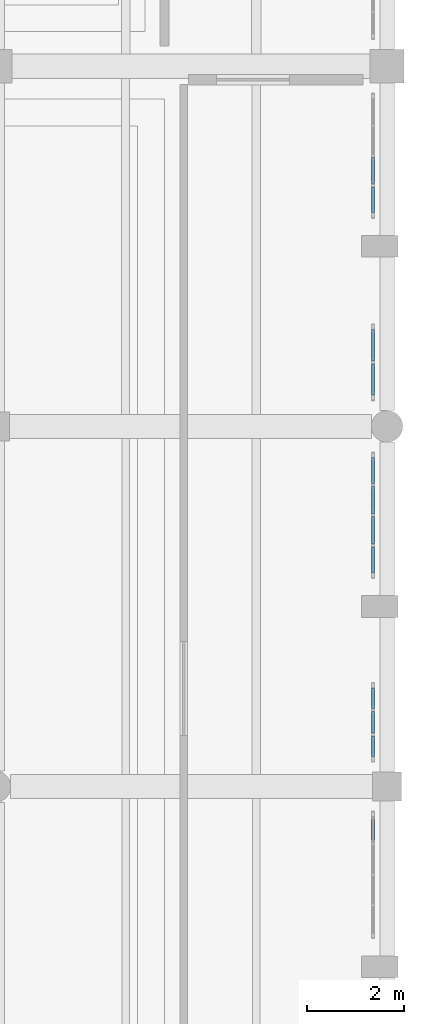
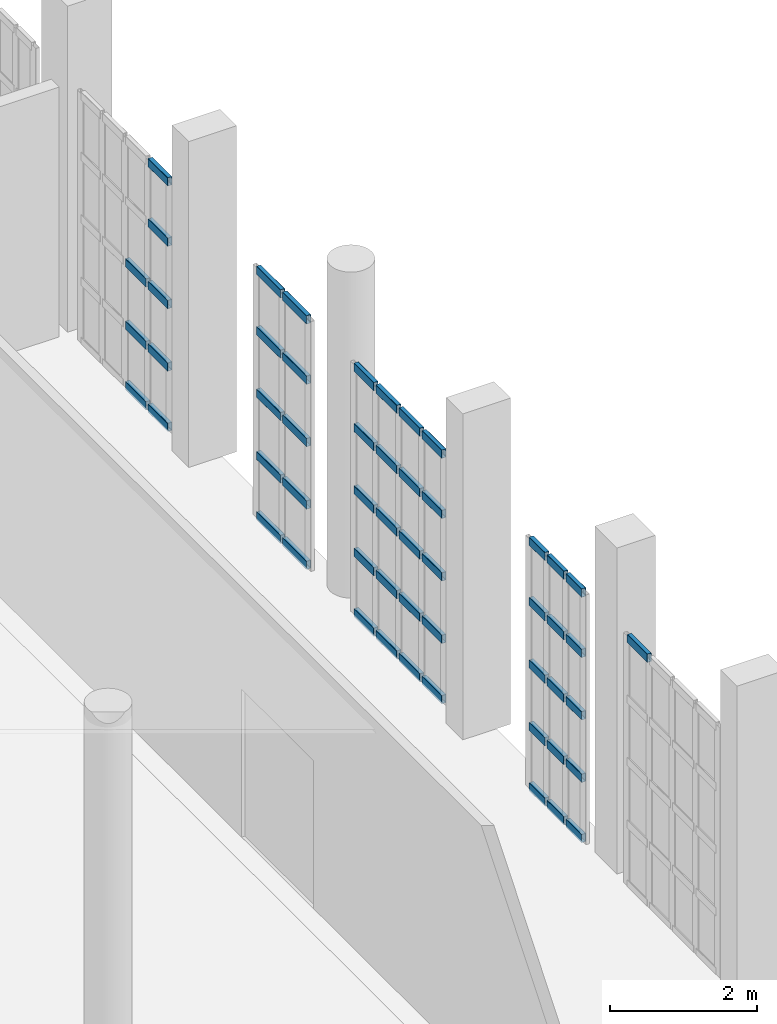
# One storey, part 317 of 372: 54 members, 5 elements without a shape of their own.
"""IFC4 building model written with IfcOpenShell, lengths in metres."""

from ifc_helpers import new_model, si_unit, direction, frame, origin, origin_2d, place, context, subcontext, project, spatial, hollow_rectangle, extrude, material, material_profile, profile_set, type_object, element, aggregate, save


model = new_model("IFC4")

# Units and contexts
model_context = context("Model", 3, precision=1e-05, world=origin(), true_north=direction((0.0, 1.0)))
body_context = subcontext(model_context, "Body", "Model", "MODEL_VIEW")
ifc_project = project(units=[si_unit("LENGTHUNIT", "METRE"), si_unit("AREAUNIT", "SQUARE_METRE"), si_unit("VOLUMEUNIT", "CUBIC_METRE"), si_unit("PLANEANGLEUNIT", "RADIAN"), si_unit("MASSUNIT", "GRAM", prefix="KILO")], contexts=[model_context])

# Site, building, storey
site_placement = place(None, origin())
site = spatial("IfcSite", under=ifc_project, at=site_placement, CompositionType="ELEMENT")
building_placement = place(site_placement, origin())
building = spatial("IfcBuilding", under=site, at=building_placement, Name="Kaelora Sail Theatre", CompositionType="ELEMENT")
storey_placement = place(building_placement, origin())
storey = spatial("IfcBuildingStorey", under=building, at=storey_placement, Name="L00", CompositionType="ELEMENT", Elevation=0.0)

# Curtain wall, member
ifc_material_1 = material(Name="Anodised aluminium and solar-control low-E IGU", Category="aluminium")
curtain_wall_type = type_object("IfcCurtainWallType", Name="ARC-CW-CW-FOY1", PredefinedType="NOTDEFINED", material=ifc_material_1)
curtain_wall_1_placement = place(storey_placement, origin())
curtain_wall_1 = element("IfcCurtainWall", 1, at=curtain_wall_1_placement, inside=storey, type_object=curtain_wall_type, Name="Glazed Colonnade/Courtyard Curtain Wall COLE-E-L00-03", PredefinedType="NOTDEFINED")
ifc_material_2 = material(Name="Anodised aluminium 6063-T6", Category="aluminium")
ifc_material_profile = material_profile(ifc_material_2, hollow_rectangle(XDim=0.070068359375, YDim=0.139892578125, WallThickness=0.00390625, InnerFilletRadius=0.00390625, OuterFilletRadius=0.008056640625, at=origin_2d()), Name="ALU-TRAN 70x140x4")
ifc_profile_set = profile_set([ifc_material_profile], Name="Anodised aluminium 6063-T6")
member_type = type_object("IfcMemberType", Name="ARC-MEM-TR-140", PredefinedType="USERDEFINED", material=ifc_profile_set)
member_1_placement = place(storey_placement, frame((163.2099609375, 37.538818359375, 4.10205078125), z_axis=(0.0, 1.0, 0.0), x_axis=(-1.0, 0.0, 0.0)))
member_1 = element("IfcMember", 2, at=member_1_placement, type_object=member_type, Name="CW-FOY1 transom 4.5", ObjectType="TRANSOM", PredefinedType="USERDEFINED", context=body_context, shape_type="SweptSolid", body=[
    extrude(hollow_rectangle(XDim=0.070068359375, YDim=0.139892578125, WallThickness=0.00390625, InnerFilletRadius=0.00390625, OuterFilletRadius=0.008056640625, at=origin_2d()), origin(), (0.0, 0.0, 1.0), 0.541259765625),
])
aggregate(curtain_wall_1, [member_1])

# Curtain wall, members
curtain_wall_2_placement = place(storey_placement, origin())
curtain_wall_2 = element("IfcCurtainWall", 3, at=curtain_wall_2_placement, inside=storey, type_object=curtain_wall_type, Name="Glazed Colonnade/Courtyard Curtain Wall COLE-E-L00-04", PredefinedType="NOTDEFINED")
member_2_placement = place(storey_placement, frame((163.2099609375, 39.320068359375, 0.034912109375), z_axis=(0.0, 1.0, 0.0), x_axis=(-1.0, 0.0, 0.0)))
member_2 = element("IfcMember", 4, at=member_2_placement, type_object=member_type, Name="CW-FOY1 transom 1.1", ObjectType="TRANSOM", PredefinedType="USERDEFINED", context=body_context, shape_type="SweptSolid", body=[
    extrude(hollow_rectangle(XDim=0.070068359375, YDim=0.139892578125, WallThickness=0.00390625, InnerFilletRadius=0.00390625, OuterFilletRadius=0.008056640625, at=origin_2d()), origin(), (0.0, 0.0, 1.0), 0.42333984375),
])
member_3_placement = place(storey_placement, frame((163.2099609375, 39.320068359375, 1.0341796875), z_axis=(0.0, 1.0, 0.0), x_axis=(-1.0, 0.0, 0.0)))
member_3 = element("IfcMember", 5, at=member_3_placement, type_object=member_type, Name="CW-FOY1 transom 1.2", ObjectType="TRANSOM", PredefinedType="USERDEFINED", context=body_context, shape_type="SweptSolid", body=[
    extrude(hollow_rectangle(XDim=0.070068359375, YDim=0.139892578125, WallThickness=0.00390625, InnerFilletRadius=0.00390625, OuterFilletRadius=0.008056640625, at=origin_2d()), origin(), (0.0, 0.0, 1.0), 0.42333984375),
])
member_4_placement = place(storey_placement, frame((163.2099609375, 39.320068359375, 2.068603515625), z_axis=(0.0, 1.0, 0.0), x_axis=(-1.0, 0.0, 0.0)))
member_4 = element("IfcMember", 6, at=member_4_placement, type_object=member_type, Name="CW-FOY1 transom 1.3", ObjectType="TRANSOM", PredefinedType="USERDEFINED", context=body_context, shape_type="SweptSolid", body=[
    extrude(hollow_rectangle(XDim=0.070068359375, YDim=0.139892578125, WallThickness=0.00390625, InnerFilletRadius=0.00390625, OuterFilletRadius=0.008056640625, at=origin_2d()), origin(), (0.0, 0.0, 1.0), 0.42333984375),
])
member_5_placement = place(storey_placement, frame((163.2099609375, 39.320068359375, 3.102783203125), z_axis=(0.0, 1.0, 0.0), x_axis=(-1.0, 0.0, 0.0)))
member_5 = element("IfcMember", 7, at=member_5_placement, type_object=member_type, Name="CW-FOY1 transom 1.4", ObjectType="TRANSOM", PredefinedType="USERDEFINED", context=body_context, shape_type="SweptSolid", body=[
    extrude(hollow_rectangle(XDim=0.070068359375, YDim=0.139892578125, WallThickness=0.00390625, InnerFilletRadius=0.00390625, OuterFilletRadius=0.008056640625, at=origin_2d()), origin(), (0.0, 0.0, 1.0), 0.42333984375),
])
member_6_placement = place(storey_placement, frame((163.2099609375, 39.320068359375, 4.10205078125), z_axis=(0.0, 1.0, 0.0), x_axis=(-1.0, 0.0, 0.0)))
member_6 = element("IfcMember", 8, at=member_6_placement, type_object=member_type, Name="CW-FOY1 transom 1.5", ObjectType="TRANSOM", PredefinedType="USERDEFINED", context=body_context, shape_type="SweptSolid", body=[
    extrude(hollow_rectangle(XDim=0.070068359375, YDim=0.139892578125, WallThickness=0.00390625, InnerFilletRadius=0.00390625, OuterFilletRadius=0.008056640625, at=origin_2d()), origin(), (0.0, 0.0, 1.0), 0.42333984375),
])
member_7_placement = place(storey_placement, frame((163.2099609375, 39.80322265625, 0.034912109375), z_axis=(0.0, 1.0, 0.0), x_axis=(-1.0, 0.0, 0.0)))
member_7 = element("IfcMember", 9, at=member_7_placement, type_object=member_type, Name="CW-FOY1 transom 2.1", ObjectType="TRANSOM", PredefinedType="USERDEFINED", context=body_context, shape_type="SweptSolid", body=[
    extrude(hollow_rectangle(XDim=0.070068359375, YDim=0.139892578125, WallThickness=0.00390625, InnerFilletRadius=0.00390625, OuterFilletRadius=0.008056640625, at=origin_2d()), origin(), (0.0, 0.0, 1.0), 0.453369140625),
])
member_8_placement = place(storey_placement, frame((163.2099609375, 39.80322265625, 1.0341796875), z_axis=(0.0, 1.0, 0.0), x_axis=(-1.0, 0.0, 0.0)))
member_8 = element("IfcMember", 10, at=member_8_placement, type_object=member_type, Name="CW-FOY1 transom 2.2", ObjectType="TRANSOM", PredefinedType="USERDEFINED", context=body_context, shape_type="SweptSolid", body=[
    extrude(hollow_rectangle(XDim=0.070068359375, YDim=0.139892578125, WallThickness=0.00390625, InnerFilletRadius=0.00390625, OuterFilletRadius=0.008056640625, at=origin_2d()), origin(), (0.0, 0.0, 1.0), 0.453369140625),
])
member_9_placement = place(storey_placement, frame((163.2099609375, 39.80322265625, 2.068603515625), z_axis=(0.0, 1.0, 0.0), x_axis=(-1.0, 0.0, 0.0)))
member_9 = element("IfcMember", 11, at=member_9_placement, type_object=member_type, Name="CW-FOY1 transom 2.3", ObjectType="TRANSOM", PredefinedType="USERDEFINED", context=body_context, shape_type="SweptSolid", body=[
    extrude(hollow_rectangle(XDim=0.070068359375, YDim=0.139892578125, WallThickness=0.00390625, InnerFilletRadius=0.00390625, OuterFilletRadius=0.008056640625, at=origin_2d()), origin(), (0.0, 0.0, 1.0), 0.453369140625),
])
member_10_placement = place(storey_placement, frame((163.2099609375, 39.80322265625, 3.102783203125), z_axis=(0.0, 1.0, 0.0), x_axis=(-1.0, 0.0, 0.0)))
member_10 = element("IfcMember", 12, at=member_10_placement, type_object=member_type, Name="CW-FOY1 transom 2.4", ObjectType="TRANSOM", PredefinedType="USERDEFINED", context=body_context, shape_type="SweptSolid", body=[
    extrude(hollow_rectangle(XDim=0.070068359375, YDim=0.139892578125, WallThickness=0.00390625, InnerFilletRadius=0.00390625, OuterFilletRadius=0.008056640625, at=origin_2d()), origin(), (0.0, 0.0, 1.0), 0.453369140625),
])
member_11_placement = place(storey_placement, frame((163.2099609375, 39.80322265625, 4.10205078125), z_axis=(0.0, 1.0, 0.0), x_axis=(-1.0, 0.0, 0.0)))
member_11 = element("IfcMember", 13, at=member_11_placement, type_object=member_type, Name="CW-FOY1 transom 2.5", ObjectType="TRANSOM", PredefinedType="USERDEFINED", context=body_context, shape_type="SweptSolid", body=[
    extrude(hollow_rectangle(XDim=0.070068359375, YDim=0.139892578125, WallThickness=0.00390625, InnerFilletRadius=0.00390625, OuterFilletRadius=0.008056640625, at=origin_2d()), origin(), (0.0, 0.0, 1.0), 0.453369140625),
])
member_12_placement = place(storey_placement, frame((163.2099609375, 40.316650390625, 0.034912109375), z_axis=(0.0, 1.0, 0.0), x_axis=(-1.0, 0.0, 0.0)))
member_12 = element("IfcMember", 14, at=member_12_placement, type_object=member_type, Name="CW-FOY1 transom 3.1", ObjectType="TRANSOM", PredefinedType="USERDEFINED", context=body_context, shape_type="SweptSolid", body=[
    extrude(hollow_rectangle(XDim=0.070068359375, YDim=0.139892578125, WallThickness=0.00390625, InnerFilletRadius=0.00390625, OuterFilletRadius=0.008056640625, at=origin_2d()), origin(), (0.0, 0.0, 1.0), 0.42333984375),
])
member_13_placement = place(storey_placement, frame((163.2099609375, 40.316650390625, 1.0341796875), z_axis=(0.0, 1.0, 0.0), x_axis=(-1.0, 0.0, 0.0)))
member_13 = element("IfcMember", 15, at=member_13_placement, type_object=member_type, Name="CW-FOY1 transom 3.2", ObjectType="TRANSOM", PredefinedType="USERDEFINED", context=body_context, shape_type="SweptSolid", body=[
    extrude(hollow_rectangle(XDim=0.070068359375, YDim=0.139892578125, WallThickness=0.00390625, InnerFilletRadius=0.00390625, OuterFilletRadius=0.008056640625, at=origin_2d()), origin(), (0.0, 0.0, 1.0), 0.42333984375),
])
member_14_placement = place(storey_placement, frame((163.2099609375, 40.316650390625, 2.068603515625), z_axis=(0.0, 1.0, 0.0), x_axis=(-1.0, 0.0, 0.0)))
member_14 = element("IfcMember", 16, at=member_14_placement, type_object=member_type, Name="CW-FOY1 transom 3.3", ObjectType="TRANSOM", PredefinedType="USERDEFINED", context=body_context, shape_type="SweptSolid", body=[
    extrude(hollow_rectangle(XDim=0.070068359375, YDim=0.139892578125, WallThickness=0.00390625, InnerFilletRadius=0.00390625, OuterFilletRadius=0.008056640625, at=origin_2d()), origin(), (0.0, 0.0, 1.0), 0.42333984375),
])
member_15_placement = place(storey_placement, frame((163.2099609375, 40.316650390625, 3.102783203125), z_axis=(0.0, 1.0, 0.0), x_axis=(-1.0, 0.0, 0.0)))
member_15 = element("IfcMember", 17, at=member_15_placement, type_object=member_type, Name="CW-FOY1 transom 3.4", ObjectType="TRANSOM", PredefinedType="USERDEFINED", context=body_context, shape_type="SweptSolid", body=[
    extrude(hollow_rectangle(XDim=0.070068359375, YDim=0.139892578125, WallThickness=0.00390625, InnerFilletRadius=0.00390625, OuterFilletRadius=0.008056640625, at=origin_2d()), origin(), (0.0, 0.0, 1.0), 0.42333984375),
])
member_16_placement = place(storey_placement, frame((163.2099609375, 40.316650390625, 4.10205078125), z_axis=(0.0, 1.0, 0.0), x_axis=(-1.0, 0.0, 0.0)))
member_16 = element("IfcMember", 18, at=member_16_placement, type_object=member_type, Name="CW-FOY1 transom 3.5", ObjectType="TRANSOM", PredefinedType="USERDEFINED", context=body_context, shape_type="SweptSolid", body=[
    extrude(hollow_rectangle(XDim=0.070068359375, YDim=0.139892578125, WallThickness=0.00390625, InnerFilletRadius=0.00390625, OuterFilletRadius=0.008056640625, at=origin_2d()), origin(), (0.0, 0.0, 1.0), 0.42333984375),
])
aggregate(curtain_wall_2, [member_2, member_3, member_4, member_5, member_6, member_7, member_8, member_9, member_10, member_11, member_12, member_13, member_14, member_15, member_16])

curtain_wall_3_placement = place(storey_placement, origin())
curtain_wall_3 = element("IfcCurtainWall", 19, at=curtain_wall_3_placement, inside=storey, type_object=curtain_wall_type, Name="Glazed Colonnade/Courtyard Curtain Wall COLE-E-L00-06", PredefinedType="NOTDEFINED")
member_17_placement = place(storey_placement, frame((163.2099609375, 43.114990234375, 0.034912109375), z_axis=(0.0, 1.0, 0.0), x_axis=(-1.0, 0.0, 0.0)))
member_17 = element("IfcMember", 20, at=member_17_placement, type_object=member_type, Name="CW-FOY1 transom 1.1", ObjectType="TRANSOM", PredefinedType="USERDEFINED", context=body_context, shape_type="SweptSolid", body=[
    extrude(hollow_rectangle(XDim=0.070068359375, YDim=0.139892578125, WallThickness=0.00390625, InnerFilletRadius=0.00390625, OuterFilletRadius=0.008056640625, at=origin_2d()), origin(), (0.0, 0.0, 1.0), 0.534912109375),
])
member_18_placement = place(storey_placement, frame((163.2099609375, 43.114990234375, 1.0341796875), z_axis=(0.0, 1.0, 0.0), x_axis=(-1.0, 0.0, 0.0)))
member_18 = element("IfcMember", 21, at=member_18_placement, type_object=member_type, Name="CW-FOY1 transom 1.2", ObjectType="TRANSOM", PredefinedType="USERDEFINED", context=body_context, shape_type="SweptSolid", body=[
    extrude(hollow_rectangle(XDim=0.070068359375, YDim=0.139892578125, WallThickness=0.00390625, InnerFilletRadius=0.00390625, OuterFilletRadius=0.008056640625, at=origin_2d()), origin(), (0.0, 0.0, 1.0), 0.534912109375),
])
member_19_placement = place(storey_placement, frame((163.2099609375, 43.114990234375, 2.068603515625), z_axis=(0.0, 1.0, 0.0), x_axis=(-1.0, 0.0, 0.0)))
member_19 = element("IfcMember", 22, at=member_19_placement, type_object=member_type, Name="CW-FOY1 transom 1.3", ObjectType="TRANSOM", PredefinedType="USERDEFINED", context=body_context, shape_type="SweptSolid", body=[
    extrude(hollow_rectangle(XDim=0.070068359375, YDim=0.139892578125, WallThickness=0.00390625, InnerFilletRadius=0.00390625, OuterFilletRadius=0.008056640625, at=origin_2d()), origin(), (0.0, 0.0, 1.0), 0.534912109375),
])
member_20_placement = place(storey_placement, frame((163.2099609375, 43.114990234375, 3.102783203125), z_axis=(0.0, 1.0, 0.0), x_axis=(-1.0, 0.0, 0.0)))
member_20 = element("IfcMember", 23, at=member_20_placement, type_object=member_type, Name="CW-FOY1 transom 1.4", ObjectType="TRANSOM", PredefinedType="USERDEFINED", context=body_context, shape_type="SweptSolid", body=[
    extrude(hollow_rectangle(XDim=0.070068359375, YDim=0.139892578125, WallThickness=0.00390625, InnerFilletRadius=0.00390625, OuterFilletRadius=0.008056640625, at=origin_2d()), origin(), (0.0, 0.0, 1.0), 0.534912109375),
])
member_21_placement = place(storey_placement, frame((163.2099609375, 43.114990234375, 4.10205078125), z_axis=(0.0, 1.0, 0.0), x_axis=(-1.0, 0.0, 0.0)))
member_21 = element("IfcMember", 24, at=member_21_placement, type_object=member_type, Name="CW-FOY1 transom 1.5", ObjectType="TRANSOM", PredefinedType="USERDEFINED", context=body_context, shape_type="SweptSolid", body=[
    extrude(hollow_rectangle(XDim=0.070068359375, YDim=0.139892578125, WallThickness=0.00390625, InnerFilletRadius=0.00390625, OuterFilletRadius=0.008056640625, at=origin_2d()), origin(), (0.0, 0.0, 1.0), 0.534912109375),
])
member_22_placement = place(storey_placement, frame((163.2099609375, 43.7099609375, 0.034912109375), z_axis=(0.0, 1.0, 0.0), x_axis=(-1.0, 0.0, 0.0)))
member_22 = element("IfcMember", 25, at=member_22_placement, type_object=member_type, Name="CW-FOY1 transom 2.1", ObjectType="TRANSOM", PredefinedType="USERDEFINED", context=body_context, shape_type="SweptSolid", body=[
    extrude(hollow_rectangle(XDim=0.070068359375, YDim=0.139892578125, WallThickness=0.00390625, InnerFilletRadius=0.00390625, OuterFilletRadius=0.008056640625, at=origin_2d()), origin(), (0.0, 0.0, 1.0), 0.56494140625),
])
member_23_placement = place(storey_placement, frame((163.2099609375, 43.7099609375, 1.0341796875), z_axis=(0.0, 1.0, 0.0), x_axis=(-1.0, 0.0, 0.0)))
member_23 = element("IfcMember", 26, at=member_23_placement, type_object=member_type, Name="CW-FOY1 transom 2.2", ObjectType="TRANSOM", PredefinedType="USERDEFINED", context=body_context, shape_type="SweptSolid", body=[
    extrude(hollow_rectangle(XDim=0.070068359375, YDim=0.139892578125, WallThickness=0.00390625, InnerFilletRadius=0.00390625, OuterFilletRadius=0.008056640625, at=origin_2d()), origin(), (0.0, 0.0, 1.0), 0.56494140625),
])
member_24_placement = place(storey_placement, frame((163.2099609375, 43.7099609375, 2.068603515625), z_axis=(0.0, 1.0, 0.0), x_axis=(-1.0, 0.0, 0.0)))
member_24 = element("IfcMember", 27, at=member_24_placement, type_object=member_type, Name="CW-FOY1 transom 2.3", ObjectType="TRANSOM", PredefinedType="USERDEFINED", context=body_context, shape_type="SweptSolid", body=[
    extrude(hollow_rectangle(XDim=0.070068359375, YDim=0.139892578125, WallThickness=0.00390625, InnerFilletRadius=0.00390625, OuterFilletRadius=0.008056640625, at=origin_2d()), origin(), (0.0, 0.0, 1.0), 0.56494140625),
])
member_25_placement = place(storey_placement, frame((163.2099609375, 43.7099609375, 3.102783203125), z_axis=(0.0, 1.0, 0.0), x_axis=(-1.0, 0.0, 0.0)))
member_25 = element("IfcMember", 28, at=member_25_placement, type_object=member_type, Name="CW-FOY1 transom 2.4", ObjectType="TRANSOM", PredefinedType="USERDEFINED", context=body_context, shape_type="SweptSolid", body=[
    extrude(hollow_rectangle(XDim=0.070068359375, YDim=0.139892578125, WallThickness=0.00390625, InnerFilletRadius=0.00390625, OuterFilletRadius=0.008056640625, at=origin_2d()), origin(), (0.0, 0.0, 1.0), 0.56494140625),
])
member_26_placement = place(storey_placement, frame((163.2099609375, 43.7099609375, 4.10205078125), z_axis=(0.0, 1.0, 0.0), x_axis=(-1.0, 0.0, 0.0)))
member_26 = element("IfcMember", 29, at=member_26_placement, type_object=member_type, Name="CW-FOY1 transom 2.5", ObjectType="TRANSOM", PredefinedType="USERDEFINED", context=body_context, shape_type="SweptSolid", body=[
    extrude(hollow_rectangle(XDim=0.070068359375, YDim=0.139892578125, WallThickness=0.00390625, InnerFilletRadius=0.00390625, OuterFilletRadius=0.008056640625, at=origin_2d()), origin(), (0.0, 0.0, 1.0), 0.56494140625),
])
member_27_placement = place(storey_placement, frame((163.2099609375, 44.3349609375, 0.034912109375), z_axis=(0.0, 1.0, 0.0), x_axis=(-1.0, 0.0, 0.0)))
member_27 = element("IfcMember", 30, at=member_27_placement, type_object=member_type, Name="CW-FOY1 transom 3.1", ObjectType="TRANSOM", PredefinedType="USERDEFINED", context=body_context, shape_type="SweptSolid", body=[
    extrude(hollow_rectangle(XDim=0.070068359375, YDim=0.139892578125, WallThickness=0.00390625, InnerFilletRadius=0.00390625, OuterFilletRadius=0.008056640625, at=origin_2d()), origin(), (0.0, 0.0, 1.0), 0.56494140625),
])
member_28_placement = place(storey_placement, frame((163.2099609375, 44.3349609375, 1.0341796875), z_axis=(0.0, 1.0, 0.0), x_axis=(-1.0, 0.0, 0.0)))
member_28 = element("IfcMember", 31, at=member_28_placement, type_object=member_type, Name="CW-FOY1 transom 3.2", ObjectType="TRANSOM", PredefinedType="USERDEFINED", context=body_context, shape_type="SweptSolid", body=[
    extrude(hollow_rectangle(XDim=0.070068359375, YDim=0.139892578125, WallThickness=0.00390625, InnerFilletRadius=0.00390625, OuterFilletRadius=0.008056640625, at=origin_2d()), origin(), (0.0, 0.0, 1.0), 0.56494140625),
])
member_29_placement = place(storey_placement, frame((163.2099609375, 44.3349609375, 2.068603515625), z_axis=(0.0, 1.0, 0.0), x_axis=(-1.0, 0.0, 0.0)))
member_29 = element("IfcMember", 32, at=member_29_placement, type_object=member_type, Name="CW-FOY1 transom 3.3", ObjectType="TRANSOM", PredefinedType="USERDEFINED", context=body_context, shape_type="SweptSolid", body=[
    extrude(hollow_rectangle(XDim=0.070068359375, YDim=0.139892578125, WallThickness=0.00390625, InnerFilletRadius=0.00390625, OuterFilletRadius=0.008056640625, at=origin_2d()), origin(), (0.0, 0.0, 1.0), 0.56494140625),
])
member_30_placement = place(storey_placement, frame((163.2099609375, 44.3349609375, 3.102783203125), z_axis=(0.0, 1.0, 0.0), x_axis=(-1.0, 0.0, 0.0)))
member_30 = element("IfcMember", 33, at=member_30_placement, type_object=member_type, Name="CW-FOY1 transom 3.4", ObjectType="TRANSOM", PredefinedType="USERDEFINED", context=body_context, shape_type="SweptSolid", body=[
    extrude(hollow_rectangle(XDim=0.070068359375, YDim=0.139892578125, WallThickness=0.00390625, InnerFilletRadius=0.00390625, OuterFilletRadius=0.008056640625, at=origin_2d()), origin(), (0.0, 0.0, 1.0), 0.56494140625),
])
member_31_placement = place(storey_placement, frame((163.2099609375, 44.3349609375, 4.10205078125), z_axis=(0.0, 1.0, 0.0), x_axis=(-1.0, 0.0, 0.0)))
member_31 = element("IfcMember", 34, at=member_31_placement, type_object=member_type, Name="CW-FOY1 transom 3.5", ObjectType="TRANSOM", PredefinedType="USERDEFINED", context=body_context, shape_type="SweptSolid", body=[
    extrude(hollow_rectangle(XDim=0.070068359375, YDim=0.139892578125, WallThickness=0.00390625, InnerFilletRadius=0.00390625, OuterFilletRadius=0.008056640625, at=origin_2d()), origin(), (0.0, 0.0, 1.0), 0.56494140625),
])
member_32_placement = place(storey_placement, frame((163.2099609375, 44.9599609375, 0.034912109375), z_axis=(0.0, 1.0, 0.0), x_axis=(-1.0, 0.0, 0.0)))
member_32 = element("IfcMember", 35, at=member_32_placement, type_object=member_type, Name="CW-FOY1 transom 4.1", ObjectType="TRANSOM", PredefinedType="USERDEFINED", context=body_context, shape_type="SweptSolid", body=[
    extrude(hollow_rectangle(XDim=0.070068359375, YDim=0.139892578125, WallThickness=0.00390625, InnerFilletRadius=0.00390625, OuterFilletRadius=0.008056640625, at=origin_2d()), origin(), (0.0, 0.0, 1.0), 0.53515625),
])
member_33_placement = place(storey_placement, frame((163.2099609375, 44.9599609375, 1.0341796875), z_axis=(0.0, 1.0, 0.0), x_axis=(-1.0, 0.0, 0.0)))
member_33 = element("IfcMember", 36, at=member_33_placement, type_object=member_type, Name="CW-FOY1 transom 4.2", ObjectType="TRANSOM", PredefinedType="USERDEFINED", context=body_context, shape_type="SweptSolid", body=[
    extrude(hollow_rectangle(XDim=0.070068359375, YDim=0.139892578125, WallThickness=0.00390625, InnerFilletRadius=0.00390625, OuterFilletRadius=0.008056640625, at=origin_2d()), origin(), (0.0, 0.0, 1.0), 0.53515625),
])
member_34_placement = place(storey_placement, frame((163.2099609375, 44.9599609375, 2.068603515625), z_axis=(0.0, 1.0, 0.0), x_axis=(-1.0, 0.0, 0.0)))
member_34 = element("IfcMember", 37, at=member_34_placement, type_object=member_type, Name="CW-FOY1 transom 4.3", ObjectType="TRANSOM", PredefinedType="USERDEFINED", context=body_context, shape_type="SweptSolid", body=[
    extrude(hollow_rectangle(XDim=0.070068359375, YDim=0.139892578125, WallThickness=0.00390625, InnerFilletRadius=0.00390625, OuterFilletRadius=0.008056640625, at=origin_2d()), origin(), (0.0, 0.0, 1.0), 0.53515625),
])
member_35_placement = place(storey_placement, frame((163.2099609375, 44.9599609375, 3.102783203125), z_axis=(0.0, 1.0, 0.0), x_axis=(-1.0, 0.0, 0.0)))
member_35 = element("IfcMember", 38, at=member_35_placement, type_object=member_type, Name="CW-FOY1 transom 4.4", ObjectType="TRANSOM", PredefinedType="USERDEFINED", context=body_context, shape_type="SweptSolid", body=[
    extrude(hollow_rectangle(XDim=0.070068359375, YDim=0.139892578125, WallThickness=0.00390625, InnerFilletRadius=0.00390625, OuterFilletRadius=0.008056640625, at=origin_2d()), origin(), (0.0, 0.0, 1.0), 0.53515625),
])
member_36_placement = place(storey_placement, frame((163.2099609375, 44.9599609375, 4.10205078125), z_axis=(0.0, 1.0, 0.0), x_axis=(-1.0, 0.0, 0.0)))
member_36 = element("IfcMember", 39, at=member_36_placement, type_object=member_type, Name="CW-FOY1 transom 4.5", ObjectType="TRANSOM", PredefinedType="USERDEFINED", context=body_context, shape_type="SweptSolid", body=[
    extrude(hollow_rectangle(XDim=0.070068359375, YDim=0.139892578125, WallThickness=0.00390625, InnerFilletRadius=0.00390625, OuterFilletRadius=0.008056640625, at=origin_2d()), origin(), (0.0, 0.0, 1.0), 0.53515625),
])
aggregate(curtain_wall_3, [member_17, member_18, member_19, member_20, member_21, member_22, member_23, member_24, member_25, member_26, member_27, member_28, member_29, member_30, member_31, member_32, member_33, member_34, member_35, member_36])

curtain_wall_4_placement = place(storey_placement, origin())
curtain_wall_4 = element("IfcCurtainWall", 40, at=curtain_wall_4_placement, inside=storey, type_object=curtain_wall_type, Name="Glazed Colonnade/Courtyard Curtain Wall COLE-E-L00-07", PredefinedType="NOTDEFINED")
member_37_placement = place(storey_placement, frame((163.2099609375, 46.784912109375, 0.034912109375), z_axis=(0.0, 1.0, 0.0), x_axis=(-1.0, 0.0, 0.0)))
member_37 = element("IfcMember", 41, at=member_37_placement, type_object=member_type, Name="CW-FOY1 transom 1.1", ObjectType="TRANSOM", PredefinedType="USERDEFINED", context=body_context, shape_type="SweptSolid", body=[
    extrude(hollow_rectangle(XDim=0.070068359375, YDim=0.139892578125, WallThickness=0.00390625, InnerFilletRadius=0.00390625, OuterFilletRadius=0.008056640625, at=origin_2d()), origin(), (0.0, 0.0, 1.0), 0.647705078125),
])
member_38_placement = place(storey_placement, frame((163.2099609375, 46.784912109375, 1.0341796875), z_axis=(0.0, 1.0, 0.0), x_axis=(-1.0, 0.0, 0.0)))
member_38 = element("IfcMember", 42, at=member_38_placement, type_object=member_type, Name="CW-FOY1 transom 1.2", ObjectType="TRANSOM", PredefinedType="USERDEFINED", context=body_context, shape_type="SweptSolid", body=[
    extrude(hollow_rectangle(XDim=0.070068359375, YDim=0.139892578125, WallThickness=0.00390625, InnerFilletRadius=0.00390625, OuterFilletRadius=0.008056640625, at=origin_2d()), origin(), (0.0, 0.0, 1.0), 0.647705078125),
])
member_39_placement = place(storey_placement, frame((163.2099609375, 46.784912109375, 2.068603515625), z_axis=(0.0, 1.0, 0.0), x_axis=(-1.0, 0.0, 0.0)))
member_39 = element("IfcMember", 43, at=member_39_placement, type_object=member_type, Name="CW-FOY1 transom 1.3", ObjectType="TRANSOM", PredefinedType="USERDEFINED", context=body_context, shape_type="SweptSolid", body=[
    extrude(hollow_rectangle(XDim=0.070068359375, YDim=0.139892578125, WallThickness=0.00390625, InnerFilletRadius=0.00390625, OuterFilletRadius=0.008056640625, at=origin_2d()), origin(), (0.0, 0.0, 1.0), 0.647705078125),
])
member_40_placement = place(storey_placement, frame((163.2099609375, 46.784912109375, 3.102783203125), z_axis=(0.0, 1.0, 0.0), x_axis=(-1.0, 0.0, 0.0)))
member_40 = element("IfcMember", 44, at=member_40_placement, type_object=member_type, Name="CW-FOY1 transom 1.4", ObjectType="TRANSOM", PredefinedType="USERDEFINED", context=body_context, shape_type="SweptSolid", body=[
    extrude(hollow_rectangle(XDim=0.070068359375, YDim=0.139892578125, WallThickness=0.00390625, InnerFilletRadius=0.00390625, OuterFilletRadius=0.008056640625, at=origin_2d()), origin(), (0.0, 0.0, 1.0), 0.647705078125),
])
member_41_placement = place(storey_placement, frame((163.2099609375, 46.784912109375, 4.10205078125), z_axis=(0.0, 1.0, 0.0), x_axis=(-1.0, 0.0, 0.0)))
member_41 = element("IfcMember", 45, at=member_41_placement, type_object=member_type, Name="CW-FOY1 transom 1.5", ObjectType="TRANSOM", PredefinedType="USERDEFINED", context=body_context, shape_type="SweptSolid", body=[
    extrude(hollow_rectangle(XDim=0.070068359375, YDim=0.139892578125, WallThickness=0.00390625, InnerFilletRadius=0.00390625, OuterFilletRadius=0.008056640625, at=origin_2d()), origin(), (0.0, 0.0, 1.0), 0.647705078125),
])
member_42_placement = place(storey_placement, frame((163.2099609375, 47.492431640625, 0.034912109375), z_axis=(0.0, 1.0, 0.0), x_axis=(-1.0, 0.0, 0.0)))
member_42 = element("IfcMember", 46, at=member_42_placement, type_object=member_type, Name="CW-FOY1 transom 2.1", ObjectType="TRANSOM", PredefinedType="USERDEFINED", context=body_context, shape_type="SweptSolid", body=[
    extrude(hollow_rectangle(XDim=0.070068359375, YDim=0.139892578125, WallThickness=0.00390625, InnerFilletRadius=0.00390625, OuterFilletRadius=0.008056640625, at=origin_2d()), origin(), (0.0, 0.0, 1.0), 0.6474609375),
])
member_43_placement = place(storey_placement, frame((163.2099609375, 47.492431640625, 1.0341796875), z_axis=(0.0, 1.0, 0.0), x_axis=(-1.0, 0.0, 0.0)))
member_43 = element("IfcMember", 47, at=member_43_placement, type_object=member_type, Name="CW-FOY1 transom 2.2", ObjectType="TRANSOM", PredefinedType="USERDEFINED", context=body_context, shape_type="SweptSolid", body=[
    extrude(hollow_rectangle(XDim=0.070068359375, YDim=0.139892578125, WallThickness=0.00390625, InnerFilletRadius=0.00390625, OuterFilletRadius=0.008056640625, at=origin_2d()), origin(), (0.0, 0.0, 1.0), 0.6474609375),
])
member_44_placement = place(storey_placement, frame((163.2099609375, 47.492431640625, 2.068603515625), z_axis=(0.0, 1.0, 0.0), x_axis=(-1.0, 0.0, 0.0)))
member_44 = element("IfcMember", 48, at=member_44_placement, type_object=member_type, Name="CW-FOY1 transom 2.3", ObjectType="TRANSOM", PredefinedType="USERDEFINED", context=body_context, shape_type="SweptSolid", body=[
    extrude(hollow_rectangle(XDim=0.070068359375, YDim=0.139892578125, WallThickness=0.00390625, InnerFilletRadius=0.00390625, OuterFilletRadius=0.008056640625, at=origin_2d()), origin(), (0.0, 0.0, 1.0), 0.6474609375),
])
member_45_placement = place(storey_placement, frame((163.2099609375, 47.492431640625, 3.102783203125), z_axis=(0.0, 1.0, 0.0), x_axis=(-1.0, 0.0, 0.0)))
member_45 = element("IfcMember", 49, at=member_45_placement, type_object=member_type, Name="CW-FOY1 transom 2.4", ObjectType="TRANSOM", PredefinedType="USERDEFINED", context=body_context, shape_type="SweptSolid", body=[
    extrude(hollow_rectangle(XDim=0.070068359375, YDim=0.139892578125, WallThickness=0.00390625, InnerFilletRadius=0.00390625, OuterFilletRadius=0.008056640625, at=origin_2d()), origin(), (0.0, 0.0, 1.0), 0.6474609375),
])
member_46_placement = place(storey_placement, frame((163.2099609375, 47.492431640625, 4.10205078125), z_axis=(0.0, 1.0, 0.0), x_axis=(-1.0, 0.0, 0.0)))
member_46 = element("IfcMember", 50, at=member_46_placement, type_object=member_type, Name="CW-FOY1 transom 2.5", ObjectType="TRANSOM", PredefinedType="USERDEFINED", context=body_context, shape_type="SweptSolid", body=[
    extrude(hollow_rectangle(XDim=0.070068359375, YDim=0.139892578125, WallThickness=0.00390625, InnerFilletRadius=0.00390625, OuterFilletRadius=0.008056640625, at=origin_2d()), origin(), (0.0, 0.0, 1.0), 0.6474609375),
])
aggregate(curtain_wall_4, [member_37, member_38, member_39, member_40, member_41, member_42, member_43, member_44, member_45, member_46])

curtain_wall_5_placement = place(storey_placement, origin())
curtain_wall_5 = element("IfcCurtainWall", 51, at=curtain_wall_5_placement, inside=storey, type_object=curtain_wall_type, Name="Glazed Colonnade/Courtyard Curtain Wall COLE-E-L00-09", PredefinedType="NOTDEFINED")
member_47_placement = place(storey_placement, frame((163.2099609375, 50.554931640625, 0.034912109375), z_axis=(0.0, 1.0, 0.0), x_axis=(-1.0, 0.0, 0.0)))
member_47 = element("IfcMember", 52, at=member_47_placement, type_object=member_type, Name="CW-FOY1 transom 1.1", ObjectType="TRANSOM", PredefinedType="USERDEFINED", context=body_context, shape_type="SweptSolid", body=[
    extrude(hollow_rectangle(XDim=0.070068359375, YDim=0.139892578125, WallThickness=0.00390625, InnerFilletRadius=0.00390625, OuterFilletRadius=0.008056640625, at=origin_2d()), origin(), (0.0, 0.0, 1.0), 0.52880859375),
])
member_48_placement = place(storey_placement, frame((163.2099609375, 50.554931640625, 1.0341796875), z_axis=(0.0, 1.0, 0.0), x_axis=(-1.0, 0.0, 0.0)))
member_48 = element("IfcMember", 53, at=member_48_placement, type_object=member_type, Name="CW-FOY1 transom 1.2", ObjectType="TRANSOM", PredefinedType="USERDEFINED", context=body_context, shape_type="SweptSolid", body=[
    extrude(hollow_rectangle(XDim=0.070068359375, YDim=0.139892578125, WallThickness=0.00390625, InnerFilletRadius=0.00390625, OuterFilletRadius=0.008056640625, at=origin_2d()), origin(), (0.0, 0.0, 1.0), 0.52880859375),
])
member_49_placement = place(storey_placement, frame((163.2099609375, 50.554931640625, 2.068603515625), z_axis=(0.0, 1.0, 0.0), x_axis=(-1.0, 0.0, 0.0)))
member_49 = element("IfcMember", 54, at=member_49_placement, type_object=member_type, Name="CW-FOY1 transom 1.3", ObjectType="TRANSOM", PredefinedType="USERDEFINED", context=body_context, shape_type="SweptSolid", body=[
    extrude(hollow_rectangle(XDim=0.070068359375, YDim=0.139892578125, WallThickness=0.00390625, InnerFilletRadius=0.00390625, OuterFilletRadius=0.008056640625, at=origin_2d()), origin(), (0.0, 0.0, 1.0), 0.52880859375),
])
member_50_placement = place(storey_placement, frame((163.2099609375, 50.554931640625, 3.102783203125), z_axis=(0.0, 1.0, 0.0), x_axis=(-1.0, 0.0, 0.0)))
member_50 = element("IfcMember", 55, at=member_50_placement, type_object=member_type, Name="CW-FOY1 transom 1.4", ObjectType="TRANSOM", PredefinedType="USERDEFINED", context=body_context, shape_type="SweptSolid", body=[
    extrude(hollow_rectangle(XDim=0.070068359375, YDim=0.139892578125, WallThickness=0.00390625, InnerFilletRadius=0.00390625, OuterFilletRadius=0.008056640625, at=origin_2d()), origin(), (0.0, 0.0, 1.0), 0.52880859375),
])
member_51_placement = place(storey_placement, frame((163.2099609375, 50.554931640625, 4.10205078125), z_axis=(0.0, 1.0, 0.0), x_axis=(-1.0, 0.0, 0.0)))
member_51 = element("IfcMember", 56, at=member_51_placement, type_object=member_type, Name="CW-FOY1 transom 1.5", ObjectType="TRANSOM", PredefinedType="USERDEFINED", context=body_context, shape_type="SweptSolid", body=[
    extrude(hollow_rectangle(XDim=0.070068359375, YDim=0.139892578125, WallThickness=0.00390625, InnerFilletRadius=0.00390625, OuterFilletRadius=0.008056640625, at=origin_2d()), origin(), (0.0, 0.0, 1.0), 0.52880859375),
])
member_52_placement = place(storey_placement, frame((163.2099609375, 51.143798828125, 0.034912109375), z_axis=(0.0, 1.0, 0.0), x_axis=(-1.0, 0.0, 0.0)))
member_52 = element("IfcMember", 57, at=member_52_placement, type_object=member_type, Name="CW-FOY1 transom 2.1", ObjectType="TRANSOM", PredefinedType="USERDEFINED", context=body_context, shape_type="SweptSolid", body=[
    extrude(hollow_rectangle(XDim=0.070068359375, YDim=0.139892578125, WallThickness=0.00390625, InnerFilletRadius=0.00390625, OuterFilletRadius=0.008056640625, at=origin_2d()), origin(), (0.0, 0.0, 1.0), 0.55859375),
])
member_53_placement = place(storey_placement, frame((163.2099609375, 51.143798828125, 1.0341796875), z_axis=(0.0, 1.0, 0.0), x_axis=(-1.0, 0.0, 0.0)))
member_53 = element("IfcMember", 58, at=member_53_placement, type_object=member_type, Name="CW-FOY1 transom 2.2", ObjectType="TRANSOM", PredefinedType="USERDEFINED", context=body_context, shape_type="SweptSolid", body=[
    extrude(hollow_rectangle(XDim=0.070068359375, YDim=0.139892578125, WallThickness=0.00390625, InnerFilletRadius=0.00390625, OuterFilletRadius=0.008056640625, at=origin_2d()), origin(), (0.0, 0.0, 1.0), 0.55859375),
])
member_54_placement = place(storey_placement, frame((163.2099609375, 51.143798828125, 2.068603515625), z_axis=(0.0, 1.0, 0.0), x_axis=(-1.0, 0.0, 0.0)))
member_54 = element("IfcMember", 59, at=member_54_placement, type_object=member_type, Name="CW-FOY1 transom 2.3", ObjectType="TRANSOM", PredefinedType="USERDEFINED", context=body_context, shape_type="SweptSolid", body=[
    extrude(hollow_rectangle(XDim=0.070068359375, YDim=0.139892578125, WallThickness=0.00390625, InnerFilletRadius=0.00390625, OuterFilletRadius=0.008056640625, at=origin_2d()), origin(), (0.0, 0.0, 1.0), 0.55859375),
])
aggregate(curtain_wall_5, [member_47, member_48, member_49, member_50, member_51, member_52, member_53, member_54])

save(model, "model.ifc")
